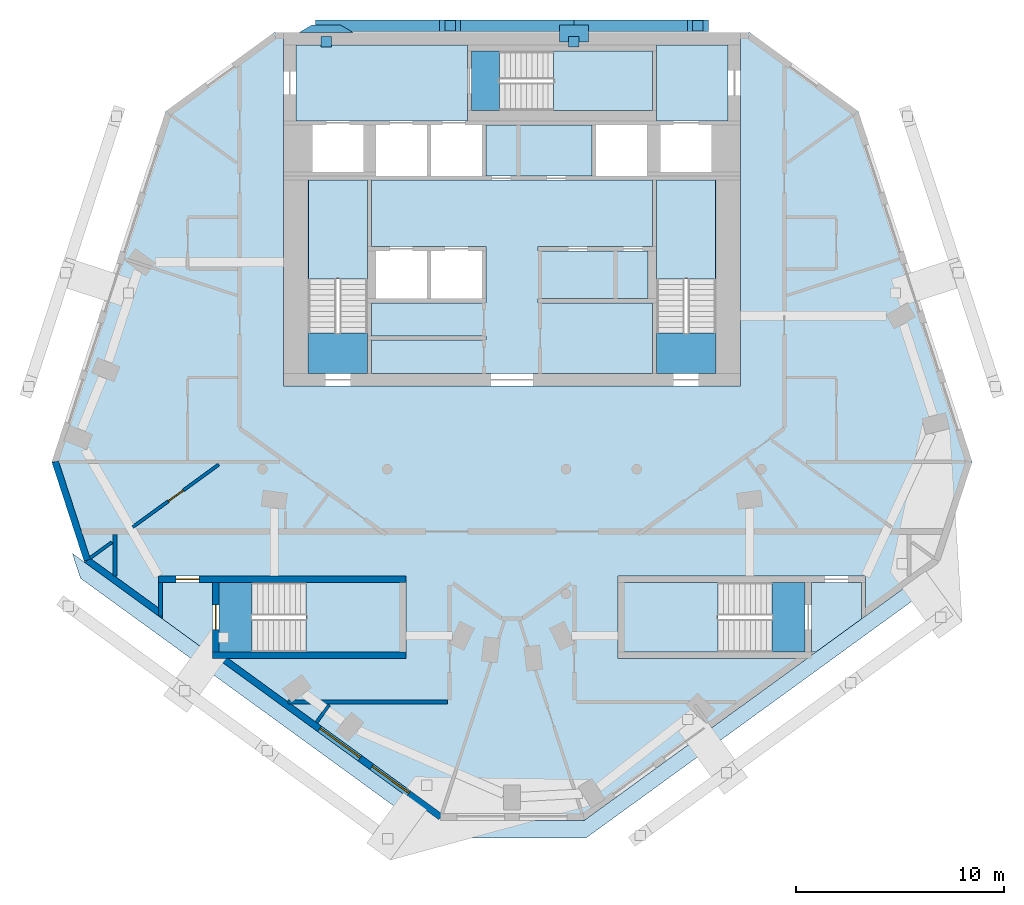
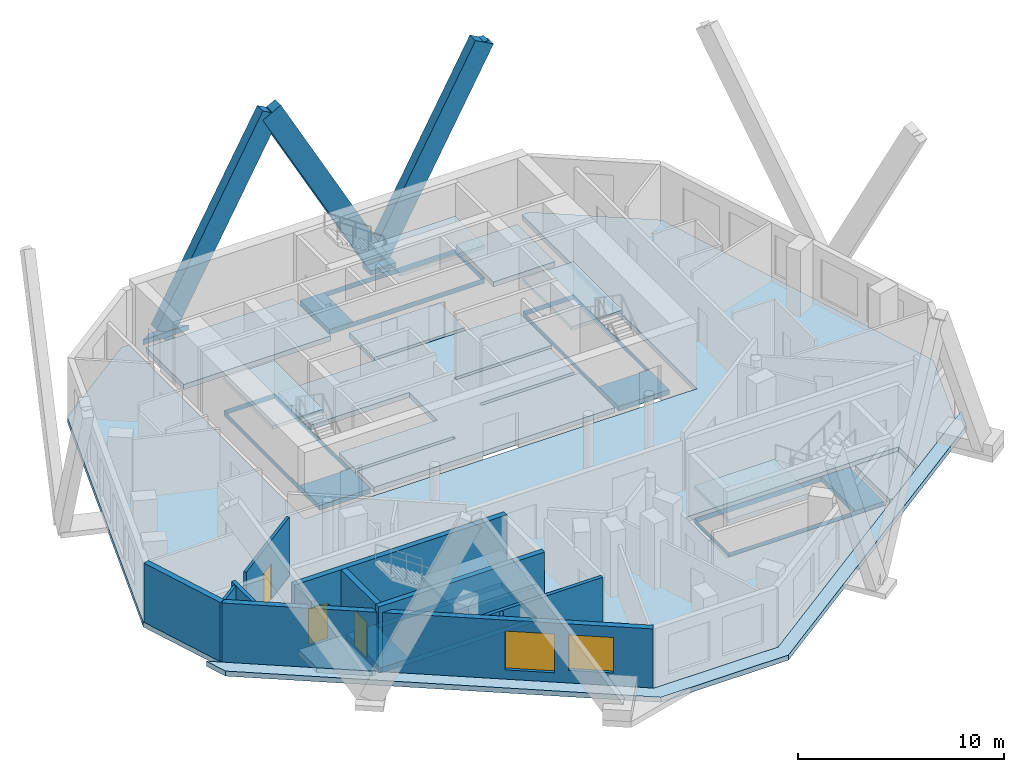
# One storey, part 2 of 8: 18 slabs, 11 walls, 5 members, 4 discrete accessories, 3 doors, 2 windows, 5 openings, 5 elements without a shape of their own.
"""IFC4 building model written with IfcOpenShell, lengths in metres."""

from ifc_helpers import new_model, si_unit, direction, frame, frame_2d, origin, origin_2d, place, context, subcontext, project, spatial, polyline, rectangle, outline, extrude, material, layer, layer_set, material_profile, profile_set, type_object, element, fill, aggregate, save


model = new_model("IFC4")

# Units and contexts
model_context = context("Model", 3, precision=1e-05, world=origin(), true_north=direction((0.0, 1.0)))
body_context = subcontext(model_context, "Body", "Model", "MODEL_VIEW")
ifc_project = project(units=[si_unit("LENGTHUNIT", "METRE"), si_unit("AREAUNIT", "SQUARE_METRE"), si_unit("VOLUMEUNIT", "CUBIC_METRE"), si_unit("PLANEANGLEUNIT", "RADIAN"), si_unit("MASSUNIT", "GRAM", prefix="KILO")], contexts=[model_context])

# Site, building, storey
site_placement = place(None, origin())
site = spatial("IfcSite", under=ifc_project, at=site_placement, CompositionType="ELEMENT")
building_placement = place(site_placement, origin())
building = spatial("IfcBuilding", under=site, at=building_placement, Name="White Candle Pilgrim Tower", CompositionType="ELEMENT")
storey_placement = place(building_placement, frame((0.0, 0.0, 317.800048828125)))
storey = spatial("IfcBuildingStorey", under=building, at=storey_placement, Name="L75", CompositionType="ELEMENT", Elevation=317.800048828125)

# Member
ifc_material_1 = material(Name="Concrete C60/75, white", Category="concrete")
ifc_material_profile = material_profile(ifc_material_1, rectangle(XDim=0.550048828125, YDim=1.14990234375, at=origin_2d()), Name="RC-DG 550x1150")
ifc_profile_set = profile_set([ifc_material_profile], Name="Concrete C60/75, white")
member_type_1 = type_object("IfcMemberType", Name="Exoskeleton diagonal RC-DG 550x1150 C60/75", PredefinedType="BRACE", material=ifc_profile_set)
member_1_placement = place(storey_placement, frame((72.97900390625, 88.324951171875, 0.0), z_axis=(0.479634091255, 0.0, 0.877468596877), x_axis=(0.0, 1.0, 0.0)))
member_1 = element("IfcMember", 1, at=member_1_placement, inside=storey, type_object=member_type_1, Name="Exoskeleton diagonal EX296", PredefinedType="BRACE", context=body_context, shape_type="SweptSolid", body=[
    extrude(rectangle(XDim=0.550048828125, YDim=1.14990234375, at=origin_2d()), origin(), (0.0, 0.0, 1.0), 12.421875),
])

member_2_placement = place(storey_placement, frame((72.97900390625, 88.324951171875, 0.0), z_axis=(-0.479634091255, 0.0, 0.877468596877), x_axis=(0.0, -1.0, 0.0)))
member_2 = element("IfcMember", 2, at=member_2_placement, inside=storey, type_object=member_type_1, Name="Exoskeleton diagonal EX297", PredefinedType="BRACE", context=body_context, shape_type="SweptSolid", body=[
    extrude(rectangle(XDim=0.550048828125, YDim=1.14990234375, at=origin_2d()), origin(), (0.0, 0.0, 1.0), 12.421875),
])

member_3_placement = place(storey_placement, frame((61.06298828125, 88.324951171875, 0.0), z_axis=(0.479634091255, 0.0, 0.877468596877), x_axis=(0.0, 1.0, 0.0)))
element("IfcMember", 3, at=member_3_placement, inside=storey, type_object=member_type_1, Name="Exoskeleton diagonal EX298", PredefinedType="BRACE", context=body_context, shape_type="SweptSolid", body=[
    extrude(rectangle(XDim=0.550048828125, YDim=1.14990234375, at=origin_2d()), origin(), (0.0, 0.0, 1.0), 12.421875),
])

ifc_material_2 = material(Name="Concrete C70/85, white", Category="concrete")
ifc_layer_1 = layer(ifc_material_2, 0.300048828125)
ifc_layer_set_1 = layer_set([ifc_layer_1], Name="Node tie strut 800x1400x300 C70/85")
member_type_2 = type_object("IfcMemberType", Name="Node tie strut 800x1400x300 C70/85", PredefinedType="STRUT", material=ifc_layer_set_1)
member_4_placement = place(storey_placement, frame((72.97900390625, 87.949951171875, -0.30029296875), z_axis=(0.0, 0.0, 1.0), x_axis=(-1.0, 0.0, 0.0)))
member_4 = element("IfcMember", 4, at=member_4_placement, inside=storey, type_object=member_type_2, Name="Node tie strut NC260", PredefinedType="STRUT", context=body_context, shape_type="SweptSolid", body=[
    extrude(rectangle(XDim=1.39990234375, YDim=0.800048828125, at=origin_2d()), origin(), (0.0, 0.0, 1.0), 0.300048828125),
])

member_5_placement = place(storey_placement, frame((0.0, 0.0, -0.300048828125)))
member_5 = element("IfcMember", 5, at=member_5_placement, inside=storey, type_object=member_type_2, Name="Node tie strut NC261", PredefinedType="STRUT", context=body_context, shape_type="SweptSolid", body=[
    extrude(outline(polyline([(59.762939453125, 88.0), (62.363037109375, 88.0), (61.762939453125, 88.35009765625), (60.363037109375, 88.35009765625), (59.762939453125, 88.0)])), origin(), (0.0, 0.0, 1.0), 0.300048828125),
])

# Slabs
ifc_material_3 = material(Name="Concrete C40/50", Category="concrete")
ifc_layer_2 = layer(ifc_material_3, 0.300048828125)
ifc_layer_set_2 = layer_set([ifc_layer_2], Name="Core floor slab 300 mm Concrete C40/50")
slab_type_1 = type_object("IfcSlabType", Name="Core floor slab 300 mm Concrete C40/50", PredefinedType="FLOOR", material=ifc_layer_set_2)
slab_1_placement = place(storey_placement, frame((0.0, 0.0, -0.300048828125)))
element("IfcSlab", 6, at=slab_1_placement, inside=storey, type_object=slab_type_1, Name="CF-L75-01", PredefinedType="FLOOR", context=body_context, shape_type="SweptSolid", body=[
    extrude(outline(polyline([(55.386962890625, 58.199951171875), (53.199951171875, 59.7890625), (53.199951171875, 59.934326171875), (53.199951171875, 61.550048828125), (55.60009765625, 61.550048828125), (55.60009765625, 58.199951171875), (55.386962890625, 58.199951171875)])), origin(), (0.0, 0.0, 1.0), 0.300048828125),
])
slab_2_placement = place(storey_placement, frame((0.0, 0.0, -0.300048828125)))
element("IfcSlab", 7, at=slab_2_placement, inside=storey, type_object=slab_type_1, Name="CF-L75-02", PredefinedType="FLOOR", context=body_context, shape_type="SweptSolid", body=[
    extrude(outline(polyline([(55.89990234375, 58.199951171875), (55.89990234375, 61.550048828125), (64.60009765625, 61.550048828125), (64.60009765625, 58.199951171875), (55.89990234375, 58.199951171875)]), holes=[polyline([(57.501953125, 61.548095703125), (57.501953125, 58.201904296875), (64.597900390625, 58.201904296875), (64.597900390625, 61.548095703125), (57.501953125, 61.548095703125)])]), origin(), (0.0, 0.0, 1.0), 0.300048828125),
])
slab_3_placement = place(storey_placement, frame((0.0, 0.0, -0.300048828125)))
element("IfcSlab", 8, at=slab_3_placement, inside=storey, type_object=slab_type_1, Name="CF-L75-03", PredefinedType="FLOOR", context=body_context, shape_type="SweptSolid", body=[
    extrude(outline(polyline([(75.39990234375, 58.199951171875), (75.39990234375, 61.550048828125), (84.10009765625, 61.550048828125), (84.10009765625, 58.199951171875), (75.39990234375, 58.199951171875)]), holes=[polyline([(82.498046875, 58.201904296875), (82.498046875, 61.548095703125), (75.402099609375, 61.548095703125), (75.402099609375, 58.201904296875), (82.498046875, 58.201904296875)])]), origin(), (0.0, 0.0, 1.0), 0.300048828125),
])
slab_4_placement = place(storey_placement, frame((0.0, 0.0, -0.300048828125)))
element("IfcSlab", 9, at=slab_4_placement, inside=storey, type_object=slab_type_1, Name="CF-L75-04", PredefinedType="FLOOR", context=body_context, shape_type="SweptSolid", body=[
    extrude(outline(polyline([(86.800048828125, 59.934326171875), (86.800048828125, 59.7890625), (84.613037109375, 58.199951171875), (84.39990234375, 58.199951171875), (84.39990234375, 61.550048828125), (86.800048828125, 61.550048828125), (86.800048828125, 59.934326171875)])), origin(), (0.0, 0.0, 1.0), 0.300048828125),
])
slab_5_placement = place(storey_placement, frame((0.0, 0.0, -0.300048828125)))
element("IfcSlab", 10, at=slab_5_placement, inside=storey, type_object=slab_type_1, Name="CF-L75-05", PredefinedType="FLOOR", context=body_context, shape_type="SweptSolid", body=[
    extrude(outline(polyline([(76.949951171875, 71.60009765625), (76.949951171875, 75.0), (76.949951171875, 75.199951171875), (76.949951171875, 77.5), (76.949951171875, 77.699951171875), (76.949951171875, 80.89990234375), (79.800048828125, 80.89990234375), (79.800048828125, 71.60009765625), (76.949951171875, 71.60009765625)]), holes=[polyline([(76.951904296875, 73.552001953125), (79.798095703125, 73.552001953125), (79.798095703125, 80.89794921875), (76.951904296875, 80.89794921875), (76.951904296875, 73.552001953125)])]), origin(), (0.0, 0.0, 1.0), 0.300048828125),
])
slab_6_placement = place(storey_placement, frame((0.0, 0.0, -0.300048828125)))
element("IfcSlab", 11, at=slab_6_placement, inside=storey, type_object=slab_type_1, Name="CF-L75-06", PredefinedType="FLOOR", context=body_context, shape_type="SweptSolid", body=[
    extrude(outline(polyline([(63.25, 71.60009765625), (63.25, 73.199951171875), (68.75, 73.199951171875), (68.75, 73.39990234375), (63.25, 73.39990234375), (63.25, 75.0), (68.75, 75.0), (68.75, 75.199951171875), (68.75, 77.5), (68.75, 77.699951171875), (63.25, 77.699951171875), (63.25, 80.89990234375), (76.75, 80.89990234375), (76.75, 77.699951171875), (71.25, 77.699951171875), (71.25, 77.5), (76.550048828125, 77.5), (76.550048828125, 75.199951171875), (71.25, 75.199951171875), (71.25, 75.0), (76.75, 75.0), (76.75, 71.60009765625), (63.25, 71.60009765625)])), origin(), (0.0, 0.0, 1.0), 0.300048828125),
])
slab_7_placement = place(storey_placement, frame((0.0, 0.0, -0.300048828125)))
element("IfcSlab", 12, at=slab_7_placement, inside=storey, type_object=slab_type_1, Name="CF-L75-07", PredefinedType="FLOOR", context=body_context, shape_type="SweptSolid", body=[
    extrude(outline(polyline([(60.199951171875, 71.60009765625), (60.199951171875, 80.89990234375), (63.050048828125, 80.89990234375), (63.050048828125, 77.699951171875), (63.050048828125, 77.5), (63.050048828125, 75.199951171875), (63.050048828125, 75.0), (63.050048828125, 73.39990234375), (63.050048828125, 73.199951171875), (63.050048828125, 71.60009765625), (60.199951171875, 71.60009765625)]), holes=[polyline([(60.201904296875, 73.552001953125), (63.048095703125, 73.552001953125), (63.048095703125, 80.89794921875), (60.201904296875, 80.89794921875), (60.201904296875, 73.552001953125)])]), origin(), (0.0, 0.0, 1.0), 0.300048828125),
])
slab_8_placement = place(storey_placement, frame((0.0, 0.0, -0.300048828125)))
element("IfcSlab", 13, at=slab_8_placement, inside=storey, type_object=slab_type_1, Name="CF-L75-08", PredefinedType="FLOOR", context=body_context, shape_type="SweptSolid", body=[
    extrude(outline(polyline([(59.60009765625, 87.39990234375), (67.85009765625, 87.39990234375), (67.85009765625, 87.10009765625), (67.85009765625, 84.25), (67.85009765625, 83.75), (59.60009765625, 83.75), (59.60009765625, 87.39990234375)])), origin(), (0.0, 0.0, 1.0), 0.300048828125),
])
slab_9_placement = place(storey_placement, frame((0.0, 0.0, -0.300048828125)))
element("IfcSlab", 14, at=slab_9_placement, inside=storey, type_object=slab_type_1, Name="CF-L75-09", PredefinedType="FLOOR", context=body_context, shape_type="SweptSolid", body=[
    extrude(outline(polyline([(80.39990234375, 87.39990234375), (80.39990234375, 83.75), (76.949951171875, 83.75), (76.949951171875, 84.25), (76.949951171875, 87.10009765625), (76.949951171875, 87.39990234375), (80.39990234375, 87.39990234375)])), origin(), (0.0, 0.0, 1.0), 0.300048828125),
])
slab_10_placement = place(storey_placement, frame((0.0, 0.0, -0.300048828125)))
element("IfcSlab", 15, at=slab_10_placement, inside=storey, type_object=slab_type_1, Name="CF-L75-10", PredefinedType="FLOOR", context=body_context, shape_type="SweptSolid", body=[
    extrude(outline(polyline([(68.75, 81.10009765625), (68.75, 83.550048828125), (73.85009765625, 83.550048828125), (73.85009765625, 81.10009765625), (68.75, 81.10009765625)])), origin(), (0.0, 0.0, 1.0), 0.300048828125),
])
slab_11_placement = place(storey_placement, frame((0.0, 0.0, -0.300048828125)))
element("IfcSlab", 16, at=slab_11_placement, inside=storey, type_object=slab_type_1, Name="CF-L75-11", PredefinedType="FLOOR", context=body_context, shape_type="SweptSolid", body=[
    extrude(outline(polyline([(68.050048828125, 87.10009765625), (76.75, 87.10009765625), (76.75, 84.25), (68.050048828125, 84.25), (68.050048828125, 87.10009765625)]), holes=[polyline([(69.402099609375, 84.251953125), (76.748046875, 84.251953125), (76.748046875, 87.097900390625), (69.402099609375, 87.097900390625), (69.402099609375, 84.251953125)])]), origin(), (0.0, 0.0, 1.0), 0.300048828125),
])
ifc_layer_3 = layer(ifc_material_3, 0.300048828125)
ifc_layer_set_3 = layer_set([ifc_layer_3], Name="Floor slab 300 REI 120")
slab_type_2 = type_object("IfcSlabType", Name="Floor slab 300 REI 120", PredefinedType="FLOOR", material=ifc_layer_set_3)
slab_12_placement = place(storey_placement, frame((0.0, 0.0, -0.300048828125)))
element("IfcSlab", 17, at=slab_12_placement, inside=storey, type_object=slab_type_2, Name="L75 floor slab", PredefinedType="FLOOR", context=body_context, shape_type="SweptSolid", body=[
    extrude(outline(polyline([(66.52099609375, 50.110595703125), (73.47900390625, 50.110595703125), (84.2001953125, 57.89990234375), (75.10009765625, 57.89990234375), (75.10009765625, 61.85009765625), (87.0, 61.85009765625), (87.0, 59.934326171875), (90.564453125, 62.52392578125), (92.13330078125, 67.352294921875), (86.65673828125, 84.207763671875), (81.43701171875, 88.0), (81.0, 88.0), (81.0, 71.0), (59.0, 71.0), (59.0, 88.0), (58.56298828125, 88.0), (53.34326171875, 84.207763671875), (47.86669921875, 67.352294921875), (49.435546875, 62.52392578125), (53.0, 59.934326171875), (53.0, 61.85009765625), (64.89990234375, 61.85009765625), (64.89990234375, 57.89990234375), (55.7998046875, 57.89990234375), (66.52099609375, 50.110595703125)])), origin(), (0.0, 0.0, 1.0), 0.300048828125),
])
ifc_layer_4 = layer(ifc_material_3, 0.300048828125)
ifc_layer_set_4 = layer_set([ifc_layer_4], Name="Setback ledge 300 REI 120")
slab_type_3 = type_object("IfcSlabType", Name="Setback ledge 300 REI 120", PredefinedType="FLOOR", material=ifc_layer_set_4)
slab_13_placement = place(storey_placement, frame((0.0, 0.0, -0.300048828125)))
element("IfcSlab", 18, at=slab_13_placement, inside=storey, type_object=slab_type_3, Name="L75 setback ledge 01", PredefinedType="FLOOR", context=body_context, shape_type="SweptSolid", body=[
    extrude(outline(polyline([(66.426513671875, 49.268310546875), (73.573486328125, 49.268310546875), (90.756591796875, 61.752685546875), (91.144287109375, 62.9453125), (73.47900390625, 50.110595703125), (66.52099609375, 50.110595703125), (48.855712890625, 62.9453125), (49.243408203125, 61.752685546875), (66.426513671875, 49.268310546875)])), origin(), (0.0, 0.0, 1.0), 0.300048828125),
])

# Stair, slab
stair_type_1 = type_object("IfcStairType", Name="Exit stair 1 flight width 1350 mm", PredefinedType="HALF_TURN_STAIR", material=ifc_material_3)
stair_1_placement = place(storey_placement, origin())
stair_1 = element("IfcStair", 19, at=stair_1_placement, inside=storey, type_object=stair_type_1, Name="L75 stair 1", PredefinedType="NOTDEFINED")
ifc_layer_5 = layer(ifc_material_3, 0.199951171875)
ifc_layer_set_5 = layer_set([ifc_layer_5], Name="Stair landing Concrete C40/50")
slab_type_4 = type_object("IfcSlabType", Name="Stair landing Concrete C40/50", PredefinedType="LANDING", material=ifc_layer_set_5)
slab_14_placement = place(storey_placement, frame((0.0, 0.0, 1.75)))
slab_14 = element("IfcSlab", 20, at=slab_14_placement, type_object=slab_type_4, Name="ST1 landing 1", PredefinedType="LANDING", context=body_context, shape_type="SweptSolid", body=[
    extrude(outline(polyline([(63.052001953125, 76.14794921875), (60.197998046875, 76.14794921875), (60.197998046875, 80.902099609375), (63.052001953125, 80.902099609375), (63.052001953125, 76.14794921875)])), origin(), (0.0, 0.0, 1.0), 0.199951171875),
])
aggregate(stair_1, [slab_14])

stair_type_2 = type_object("IfcStairType", Name="Exit stair 2 flight width 1350 mm", PredefinedType="HALF_TURN_STAIR", material=ifc_material_3)
stair_2_placement = place(storey_placement, origin())
stair_2 = element("IfcStair", 21, at=stair_2_placement, inside=storey, type_object=stair_type_2, Name="L75 stair 2", PredefinedType="NOTDEFINED")
slab_15_placement = place(storey_placement, frame((0.0, 0.0, 1.75)))
slab_15 = element("IfcSlab", 22, at=slab_15_placement, type_object=slab_type_4, Name="ST2 landing 1", PredefinedType="LANDING", context=body_context, shape_type="SweptSolid", body=[
    extrude(outline(polyline([(79.802001953125, 76.14794921875), (76.947998046875, 76.14794921875), (76.947998046875, 80.902099609375), (79.802001953125, 80.902099609375), (79.802001953125, 76.14794921875)])), origin(), (0.0, 0.0, 1.0), 0.199951171875),
])
aggregate(stair_2, [slab_15])

stair_type_3 = type_object("IfcStairType", Name="Exit stair 3 flight width 1350 mm", PredefinedType="HALF_TURN_STAIR", material=ifc_material_3)
stair_3_placement = place(storey_placement, origin())
stair_3 = element("IfcStair", 23, at=stair_3_placement, inside=storey, type_object=stair_type_3, Name="L75 stair 3", PredefinedType="NOTDEFINED")
slab_16_placement = place(storey_placement, frame((0.0, 0.0, 1.75)))
slab_16 = element("IfcSlab", 24, at=slab_16_placement, type_object=slab_type_4, Name="ST3 landing 1", PredefinedType="LANDING", context=body_context, shape_type="SweptSolid", body=[
    extrude(outline(polyline([(71.998046875, 84.248046875), (71.998046875, 87.10205078125), (76.751953125, 87.10205078125), (76.751953125, 84.248046875), (71.998046875, 84.248046875)])), origin(), (0.0, 0.0, 1.0), 0.199951171875),
])
aggregate(stair_3, [slab_16])

stair_type_4 = type_object("IfcStairType", Name="Exit stair 4 flight width 1600 mm", PredefinedType="HALF_TURN_STAIR", material=ifc_material_3)
stair_4_placement = place(storey_placement, origin())
stair_4 = element("IfcStair", 25, at=stair_4_placement, inside=storey, type_object=stair_type_4, Name="L75 stair 4", PredefinedType="NOTDEFINED")
slab_17_placement = place(storey_placement, frame((0.0, 0.0, 1.75)))
slab_17 = element("IfcSlab", 26, at=slab_17_placement, type_object=slab_type_4, Name="ST4 landing 1", PredefinedType="LANDING", context=body_context, shape_type="SweptSolid", body=[
    extrude(outline(polyline([(79.902099609375, 61.552001953125), (79.902099609375, 58.197998046875), (75.39794921875, 58.197998046875), (75.39794921875, 61.552001953125), (79.902099609375, 61.552001953125)])), origin(), (0.0, 0.0, 1.0), 0.199951171875),
])
aggregate(stair_4, [slab_17])

stair_type_5 = type_object("IfcStairType", Name="Exit stair 5 flight width 1600 mm", PredefinedType="HALF_TURN_STAIR", material=ifc_material_3)
stair_5_placement = place(storey_placement, origin())
stair_5 = element("IfcStair", 27, at=stair_5_placement, inside=storey, type_object=stair_type_5, Name="L75 stair 5", PredefinedType="NOTDEFINED")
slab_18_placement = place(storey_placement, frame((0.0, 0.0, 1.75)))
slab_18 = element("IfcSlab", 28, at=slab_18_placement, type_object=slab_type_4, Name="ST5 landing 1", PredefinedType="LANDING", context=body_context, shape_type="SweptSolid", body=[
    extrude(outline(polyline([(60.097900390625, 58.197998046875), (60.097900390625, 61.552001953125), (64.60205078125, 61.552001953125), (64.60205078125, 58.197998046875), (60.097900390625, 58.197998046875)])), origin(), (0.0, 0.0, 1.0), 0.199951171875),
])
aggregate(stair_5, [slab_18])

# Walls
ifc_layer_6 = layer(ifc_material_3, 0.199951171875)
ifc_layer_set_6 = layer_set([ifc_layer_6], Name="Core wall 200 mm Concrete C40/50")
wall_type_1 = type_object("IfcWallType", Name="Core wall 200 mm Concrete C40/50", PredefinedType="SHEAR", material=ifc_layer_set_6)
wall_1_placement = place(storey_placement, frame((53.10009765625, 59.934326171875, 0.0), z_axis=(0.0, 0.0, 1.0), x_axis=(0.0, 1.0, 0.0)))
element("IfcWall", 29, at=wall_1_placement, inside=storey, type_object=wall_type_1, Name="WL-L75-C07", PredefinedType="SHEAR", context=body_context, shape_type="SweptSolid", body=[
    extrude(rectangle(XDim=1.61572265625, YDim=0.199951171875, at=frame_2d((0.807861328125, 0.0))), origin(), (0.0, 0.0, 1.0), 3.89990234375),
])
ifc_material_4 = material(Name="Gypsum board on steel studs", Category="steel")
ifc_layer_7 = layer(ifc_material_4, 0.199951171875)
ifc_layer_set_7 = layer_set([ifc_layer_7], Name="Corridor wall 200 mm EI 45")
wall_type_2 = type_object("IfcWallType", Name="Corridor wall 200 mm EI 45", PredefinedType="PARTITIONING", material=ifc_layer_set_7)
wall_2_placement = place(storey_placement, frame((66.89990234375, 55.800048828125, 0.0), z_axis=(0.0, 0.0, 1.0), x_axis=(-1.0, 0.0, 0.0)))
element("IfcWall", 30, at=wall_2_placement, inside=storey, type_object=wall_type_2, Name="WL-L75-P013", PredefinedType="PARTITIONING", context=body_context, shape_type="SweptSolid", body=[
    extrude(rectangle(XDim=7.665283203125, YDim=0.199951171875, at=frame_2d((3.83251953125, 0.0))), origin(), (0.0, 0.0, 1.0), 3.050048828125),
])
wall_3_placement = place(storey_placement, frame((50.89990234375, 61.85546875, 0.0), z_axis=(0.0, 0.0, 1.0), x_axis=(0.0, 1.0, 0.0)))
element("IfcWall", 31, at=wall_3_placement, inside=storey, type_object=wall_type_2, Name="WL-L75-P014", PredefinedType="PARTITIONING", context=body_context, shape_type="SweptSolid", body=[
    extrude(rectangle(XDim=1.99462890625, YDim=0.199951171875, at=frame_2d((0.997314453125, 0.0))), origin(), (0.0, 0.0, 1.0), 3.5),
])
ifc_material_5 = material(Name="Precast concrete C40/50", Category="concrete")
ifc_layer_8 = layer(ifc_material_5, 0.320068359375)
ifc_layer_set_8 = layer_set([ifc_layer_8], Name="Facade wall EW1 precast concrete C40/50 pier wall with timber-lined reveals")
wall_type_3 = type_object("IfcWallType", Name="Facade wall EW1 precast concrete C40/50 pier wall with timber-lined reveals", PredefinedType="SOLIDWALL", material=ifc_layer_set_8)
wall_4_placement = place(storey_placement, frame((48.034912109375, 67.352294921875, 0.0), z_axis=(0.0, 0.0, 1.0), x_axis=(0.309016131261, -0.951056796737, 0.0)))
element("IfcWall", 32, at=wall_4_placement, inside=storey, type_object=wall_type_3, Name="Facade wall L75 W chamfer", PredefinedType="SOLIDWALL", context=body_context, shape_type="SweptSolid", body=[
    extrude(rectangle(XDim=4.97265625, YDim=0.320068359375, at=frame_2d((2.486328125, 0.0))), origin(), (0.0, 0.0, 1.0), 3.5),
])

# Wall, openings, windows
wall_5_placement = place(storey_placement, frame((49.571533203125, 62.623046875, 0.0), z_axis=(0.0, 0.0, 1.0), x_axis=(0.809016820716, -0.587785491314, 0.0)))
wall_5 = element("IfcWall", 33, at=wall_5_placement, inside=storey, type_object=wall_type_3, Name="Facade wall L75 SW", PredefinedType="SOLIDWALL", context=body_context, shape_type="SweptSolid", body=[
    extrude(rectangle(XDim=21.014892578125, YDim=0.320068359375, at=frame_2d((10.50732421875, 0.0))), origin(), (0.0, 0.0, 1.0), 3.5),
])
opening_1_placement = place(wall_5_placement, frame((13.807373046875, 0.0, 0.550048828125)))
opening_1 = element("IfcOpeningElement", 34, at=opening_1_placement, cuts=wall_5, Name="Opening W5", PredefinedType="OPENING", context=body_context, shape_type="SweptSolid", body=[
    extrude(rectangle(XDim=2.39990234375, YDim=2.300048828125, at=frame_2d((1.199951171875, 1.14990234375))), frame((0.0, 0.169921875, 0.0), z_axis=(0.0, -1.0, 0.0), x_axis=(1.0, 0.0, 0.0)), (0.0, 0.0, 1.0), 0.340087890625),
])
opening_2_placement = place(wall_5_placement, frame((16.907470703125, 0.0, 0.75)))
opening_2 = element("IfcOpeningElement", 35, at=opening_2_placement, cuts=wall_5, Name="Opening W4", PredefinedType="OPENING", context=body_context, shape_type="SweptSolid", body=[
    extrude(rectangle(XDim=2.199951171875, YDim=2.10009765625, at=frame_2d((1.10009765625, 1.050048828125))), frame((0.0, 0.169921875, 0.0), z_axis=(0.0, -1.0, 0.0), x_axis=(1.0, 0.0, 0.0)), (0.0, 0.0, 1.0), 0.340087890625),
])
ifc_material_6 = material(Name="Timber frame with triple glazing", Category="wood")
window_type_1 = type_object("IfcWindowType", Name="Window W4 2200x2100 timber frame triple glazing", PartitioningType="SINGLE_PANEL", PredefinedType="WINDOW", material=ifc_material_6)
window_1_placement = place(opening_2_placement, origin())
window_1 = element("IfcWindow", 36, at=window_1_placement, inside=storey, type_object=window_type_1, Name="Window W4 L75 SW 6", OverallHeight=2.10009765625, OverallWidth=2.199951171875, PartitioningType="SINGLE_PANEL", PredefinedType="WINDOW", context=body_context, shape_type="SweptSolid", body=[
    extrude(rectangle(XDim=2.199951171875, YDim=2.10009765625, at=frame_2d((1.10009765625, 1.050048828125))), frame((0.0, 0.070068359375, 0.0), z_axis=(0.0, -1.0, 0.0), x_axis=(1.0, 0.0, 0.0)), (0.0, 0.0, 1.0), 0.06005859375),
])
fill(opening_2, window_1)
window_type_2 = type_object("IfcWindowType", Name="Window W5 2400x2300 timber frame triple glazing", PartitioningType="SINGLE_PANEL", PredefinedType="WINDOW", material=ifc_material_6)
window_2_placement = place(opening_1_placement, origin())
window_2 = element("IfcWindow", 37, at=window_2_placement, inside=storey, type_object=window_type_2, Name="Window W5 L75 SW 5", OverallHeight=2.300048828125, OverallWidth=2.39990234375, PartitioningType="SINGLE_PANEL", PredefinedType="WINDOW", context=body_context, shape_type="SweptSolid", body=[
    extrude(rectangle(XDim=2.39990234375, YDim=2.300048828125, at=frame_2d((1.199951171875, 1.14990234375))), frame((0.0, 0.070068359375, 0.0), z_axis=(0.0, -1.0, 0.0), x_axis=(1.0, 0.0, 0.0)), (0.0, 0.0, 1.0), 0.06005859375),
])
fill(opening_1, window_2)

# Wall
ifc_layer_9 = layer(ifc_material_4, 0.14990234375)
ifc_layer_set_9 = layer_set([ifc_layer_9], Name="Partition 150 mm EI 60")
wall_type_4 = type_object("IfcWallType", Name="Partition 150 mm EI 60", PredefinedType="PARTITIONING", material=ifc_layer_set_9)
wall_6_placement = place(storey_placement, frame((49.707763671875, 62.7216796875, 0.0), z_axis=(0.0, 0.0, 1.0), x_axis=(0.808931599774, 0.587902769927, 0.0)))
element("IfcWall", 38, at=wall_6_placement, inside=storey, type_object=wall_type_4, Name="WL-L75-P017", PredefinedType="PARTITIONING", context=body_context, shape_type="SweptSolid", body=[
    extrude(rectangle(XDim=1.295654296875, YDim=0.14990234375, at=frame_2d((0.64794921875, 0.0))), origin(), (0.0, 0.0, 1.0), 3.5),
])

# Wall, opening, door
wall_7_placement = place(storey_placement, frame((51.7568359375, 64.210693359375, 0.0), z_axis=(0.0, 0.0, 1.0), x_axis=(0.809010552393, 0.587794118818, 0.0)))
wall_7 = element("IfcWall", 39, at=wall_7_placement, inside=storey, type_object=wall_type_4, Name="WL-L75-P018", PredefinedType="PARTITIONING", context=body_context, shape_type="SweptSolid", body=[
    extrude(rectangle(XDim=5.1142578125, YDim=0.14990234375, at=frame_2d((2.55712890625, 0.0))), origin(), (0.0, 0.0, 1.0), 3.5),
])
opening_3_placement = place(wall_7_placement, frame((2.107177734375, 0.0, 0.0)))
opening_3 = element("IfcOpeningElement", 40, at=opening_3_placement, cuts=wall_7, Name="Opening T23-120", PredefinedType="OPENING", context=body_context, shape_type="SweptSolid", body=[
    extrude(rectangle(XDim=0.89990234375, YDim=2.10009765625, at=frame_2d((0.449951171875, 1.050048828125))), frame((0.0, 0.0849609375, 0.0), z_axis=(0.0, -1.0, 0.0), x_axis=(1.0, 0.0, 0.0)), (0.0, 0.0, 1.0), 0.169921875),
])
ifc_material_7 = material(Name="Steel door leaf", Category="steel")
door_type_1 = type_object("IfcDoorType", Name="Fire door 900 x 2100 EI 30", OperationType="NOTDEFINED", PredefinedType="DOOR", material=ifc_material_7)
door_1_placement = place(opening_3_placement, origin())
door_1 = element("IfcDoor", 41, at=door_1_placement, inside=storey, type_object=door_type_1, Name="Door T23-120", OperationType="SINGLE_SWING_RIGHT", OverallHeight=2.10009765625, OverallWidth=0.89990234375, PredefinedType="DOOR", context=body_context, shape_type="SweptSolid", body=[
    extrude(rectangle(XDim=0.89990234375, YDim=2.10009765625, at=frame_2d((0.449951171875, 1.050048828125))), frame((0.0, 0.02490234375, 0.0), z_axis=(0.0, -1.0, 0.0), x_axis=(1.0, 0.0, 0.0)), (0.0, 0.0, 1.0), 0.050048828125),
])
fill(opening_3, door_1)

# Walls
wall_8_placement = place(storey_placement, frame((60.593505859375, 54.81298828125, 0.0), z_axis=(0.0, 0.0, 1.0), x_axis=(0.587670016978, 0.809100705194, 0.0)))
element("IfcWall", 42, at=wall_8_placement, inside=storey, type_object=wall_type_4, Name="WL-L75-P032", PredefinedType="PARTITIONING", context=body_context, shape_type="SweptSolid", body=[
    extrude(rectangle(XDim=1.0419921875, YDim=0.14990234375, at=frame_2d((0.52099609375, 0.0))), origin(), (0.0, 0.0, 1.0), 3.050048828125),
])
ifc_layer_10 = layer(ifc_material_3, 0.300048828125)
ifc_layer_set_10 = layer_set([ifc_layer_10], Name="Stair shaft wall 300 mm Concrete C40/50")
wall_type_5 = type_object("IfcWallType", Name="Stair shaft wall 300 mm Concrete C40/50", PredefinedType="SHEAR", material=ifc_layer_set_10)
wall_9_placement = place(storey_placement, frame((55.60009765625, 58.050048828125, 0.0), z_axis=(0.0, 0.0, 1.0), x_axis=(1.0, 0.0, 0.0)))
element("IfcWall", 43, at=wall_9_placement, inside=storey, type_object=wall_type_5, Name="WL-L75-C01", PredefinedType="SHEAR", context=body_context, shape_type="SweptSolid", body=[
    extrude(rectangle(XDim=9.2998046875, YDim=0.300048828125, at=frame_2d((4.64990234375, 0.0))), origin(), (0.0, 0.0, 1.0), 3.89990234375),
])

# Wall, opening, door
wall_10_placement = place(storey_placement, frame((55.75, 58.199951171875, 0.0), z_axis=(0.0, 0.0, 1.0), x_axis=(0.0, 1.0, 0.0)))
wall_10 = element("IfcWall", 44, at=wall_10_placement, inside=storey, type_object=wall_type_5, Name="WL-L75-C03", PredefinedType="SHEAR", context=body_context, shape_type="SweptSolid", body=[
    extrude(rectangle(XDim=3.35009765625, YDim=0.300048828125, at=frame_2d((1.675048828125, 0.0))), origin(), (0.0, 0.0, 1.0), 3.89990234375),
])
opening_4_placement = place(wall_10_placement, frame((1.074951171875, 0.0, 0.0)))
opening_4 = element("IfcOpeningElement", 45, at=opening_4_placement, cuts=wall_10, Name="Opening T23-011", PredefinedType="OPENING", context=body_context, shape_type="SweptSolid", body=[
    extrude(rectangle(XDim=1.199951171875, YDim=2.10009765625, at=frame_2d((0.60009765625, 1.050048828125))), frame((0.0, 0.159912109375, 0.0), z_axis=(0.0, -1.0, 0.0), x_axis=(1.0, 0.0, 0.0)), (0.0, 0.0, 1.0), 0.320068359375),
])
door_type_2 = type_object("IfcDoorType", Name="Fire door 1200 x 2100 EI 60", OperationType="NOTDEFINED", PredefinedType="DOOR", material=ifc_material_7)
door_2_placement = place(opening_4_placement, frame((1.199951171875, 0.0, 0.0), z_axis=(0.0, 0.0, 1.0), x_axis=(-1.0, 0.0, 0.0)))
door_2 = element("IfcDoor", 46, at=door_2_placement, inside=storey, type_object=door_type_2, Name="Door T23-011", OperationType="SINGLE_SWING_RIGHT", OverallHeight=2.10009765625, OverallWidth=1.199951171875, PredefinedType="DOOR", context=body_context, shape_type="SweptSolid", body=[
    extrude(rectangle(XDim=1.199951171875, YDim=2.10009765625, at=frame_2d((0.60009765625, 1.050048828125))), frame((0.0, 0.02490234375, 0.0), z_axis=(0.0, -1.0, 0.0), x_axis=(1.0, 0.0, 0.0)), (0.0, 0.0, 1.0), 0.050048828125),
])
fill(opening_4, door_2)

wall_11_placement = place(storey_placement, frame((53.0, 61.699951171875, 0.0), z_axis=(0.0, 0.0, 1.0), x_axis=(1.0, 0.0, 0.0)))
wall_11 = element("IfcWall", 47, at=wall_11_placement, inside=storey, type_object=wall_type_5, Name="WL-L75-C09", PredefinedType="SHEAR", context=body_context, shape_type="SweptSolid", body=[
    extrude(rectangle(XDim=11.89990234375, YDim=0.300048828125, at=frame_2d((5.949951171875, 0.0))), origin(), (0.0, 0.0, 1.0), 3.89990234375),
])
opening_5_placement = place(wall_11_placement, frame((0.85009765625, 0.0, 0.0)))
opening_5 = element("IfcOpeningElement", 48, at=opening_5_placement, cuts=wall_11, Name="Opening T23-010", PredefinedType="OPENING", context=body_context, shape_type="SweptSolid", body=[
    extrude(rectangle(XDim=1.10009765625, YDim=2.10009765625, at=frame_2d((0.550048828125, 1.050048828125))), frame((0.0, 0.159912109375, 0.0), z_axis=(0.0, -1.0, 0.0), x_axis=(1.0, 0.0, 0.0)), (0.0, 0.0, 1.0), 0.320068359375),
])
door_type_3 = type_object("IfcDoorType", Name="Fire door 1100 x 2100 EI 60", OperationType="NOTDEFINED", PredefinedType="DOOR", material=ifc_material_7)
door_3_placement = place(opening_5_placement, frame((1.10009765625, 0.0, 0.0), z_axis=(0.0, 0.0, 1.0), x_axis=(-1.0, 0.0, 0.0)))
door_3 = element("IfcDoor", 49, at=door_3_placement, inside=storey, type_object=door_type_3, Name="Door T23-010", OperationType="SINGLE_SWING_LEFT", OverallHeight=2.10009765625, OverallWidth=1.10009765625, PredefinedType="DOOR", context=body_context, shape_type="SweptSolid", body=[
    extrude(rectangle(XDim=1.10009765625, YDim=2.10009765625, at=frame_2d((0.550048828125, 1.050048828125))), frame((0.0, 0.02490234375, 0.0), z_axis=(0.0, -1.0, 0.0), x_axis=(1.0, 0.0, 0.0)), (0.0, 0.0, 1.0), 0.050048828125),
])
fill(opening_5, door_3)

# Discrete accessory
ifc_material_8 = material(Name="Steel S355", Category="steel")
ifc_layer_11 = layer(ifc_material_8, 0.02490234375)
ifc_layer_set_11 = layer_set([ifc_layer_11], Name="Gusset plate 500x500x25 S355")
discrete_accessory_type = type_object("IfcDiscreteAccessoryType", Name="Gusset plate 500x500x25 S355", PredefinedType="BRACKET", material=ifc_layer_set_11)
placement = place(building_placement, frame((0.0, 0.0, 328.699951171875)))
discrete_accessory_1_placement = place(placement, frame((78.93701171875, 88.324951171875, -0.012451171875), z_axis=(0.0, 0.0, 1.0), x_axis=(1.0, 0.0, 0.0)))
discrete_accessory_1 = element("IfcDiscreteAccessory", 50, at=discrete_accessory_1_placement, type_object=discrete_accessory_type, Name="Gusset plate 0352", PredefinedType="BRACKET", context=body_context, shape_type="SweptSolid", body=[
    extrude(rectangle(XDim=0.5, YDim=0.5, at=origin_2d()), origin(), (0.0, 0.0, 1.0), 0.02490234375),
])

aggregate(member_1, [discrete_accessory_1])

discrete_accessory_2_placement = place(placement, frame((67.02099609375, 88.324951171875, -0.012451171875), z_axis=(0.0, 0.0, 1.0), x_axis=(1.0, 0.0, 0.0)))
discrete_accessory_2 = element("IfcDiscreteAccessory", 51, at=discrete_accessory_2_placement, type_object=discrete_accessory_type, Name="Gusset plate 0353", PredefinedType="BRACKET", context=body_context, shape_type="SweptSolid", body=[
    extrude(rectangle(XDim=0.5, YDim=0.5, at=origin_2d()), origin(), (0.0, 0.0, 1.0), 0.02490234375),
])

aggregate(member_2, [discrete_accessory_2])

discrete_accessory_3_placement = place(storey_placement, frame((72.97900390625, 87.550048828125, -0.16259765625), z_axis=(0.0, 0.0, 1.0), x_axis=(1.0, 0.0, 0.0)))
discrete_accessory_3 = element("IfcDiscreteAccessory", 52, at=discrete_accessory_3_placement, type_object=discrete_accessory_type, Name="Gusset plate 0641", PredefinedType="BRACKET", context=body_context, shape_type="SweptSolid", body=[
    extrude(rectangle(XDim=0.5, YDim=0.5, at=origin_2d()), origin(), (0.0, 0.0, 1.0), 0.02490234375),
])

aggregate(member_4, [discrete_accessory_3])

discrete_accessory_4_placement = place(storey_placement, frame((61.06298828125, 87.550048828125, -0.16259765625), z_axis=(0.0, 0.0, 1.0), x_axis=(1.0, 0.0, 0.0)))
discrete_accessory_4 = element("IfcDiscreteAccessory", 53, at=discrete_accessory_4_placement, type_object=discrete_accessory_type, Name="Gusset plate 0642", PredefinedType="BRACKET", context=body_context, shape_type="SweptSolid", body=[
    extrude(rectangle(XDim=0.5, YDim=0.5, at=origin_2d()), origin(), (0.0, 0.0, 1.0), 0.02490234375),
])

aggregate(member_5, [discrete_accessory_4])

save(model, "model.ifc")
